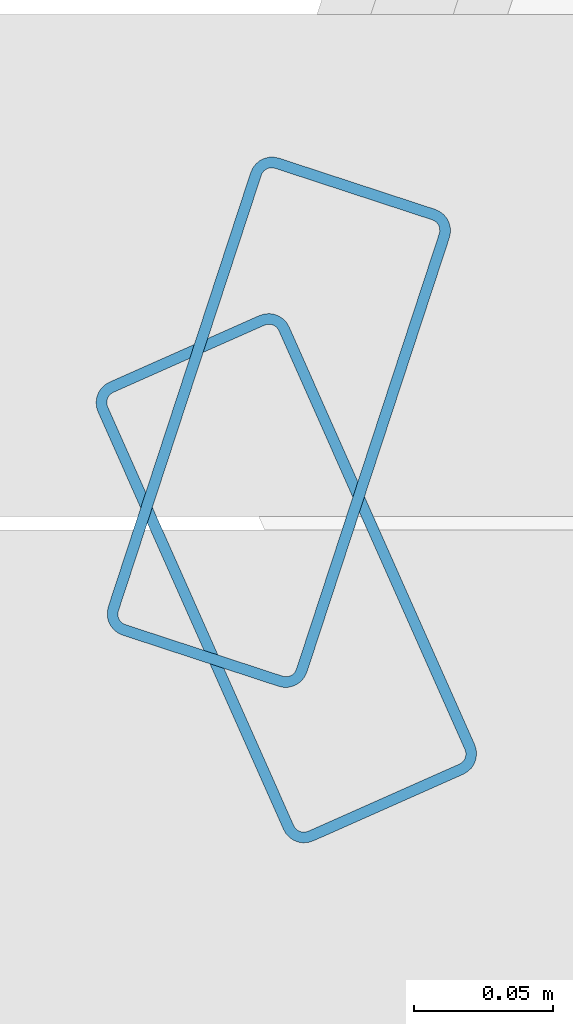
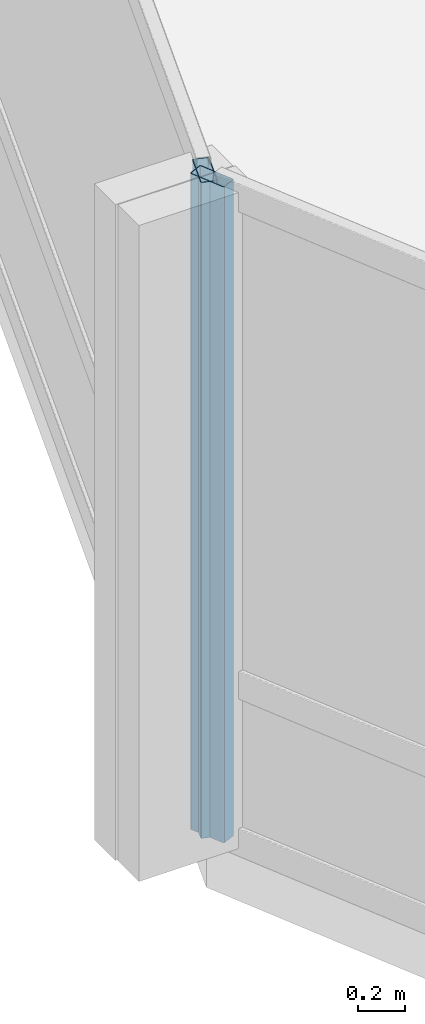
# One storey, part 6 of 29: 2 members, 2 elements without a shape of their own.
"""IFC4 building model written with IfcOpenShell, lengths in metres."""

from ifc_helpers import new_model, si_unit, direction, frame, origin, origin_2d, place, context, subcontext, project, spatial, hollow_rectangle, extrude, material, layer, layer_set, material_profile, profile_set, type_object, element, aggregate, save


model = new_model("IFC4")

# Units and contexts
model_context = context("Model", 3, precision=1e-05, world=origin(), true_north=direction((0.0, 1.0)))
body_context = subcontext(model_context, "Body", "Model", "MODEL_VIEW")
ifc_project = project(units=[si_unit("LENGTHUNIT", "METRE"), si_unit("AREAUNIT", "SQUARE_METRE"), si_unit("VOLUMEUNIT", "CUBIC_METRE"), si_unit("PLANEANGLEUNIT", "RADIAN"), si_unit("MASSUNIT", "GRAM", prefix="KILO")], contexts=[model_context])

# Site, building, storey
site_placement = place(None, origin())
site = spatial("IfcSite", under=ifc_project, at=site_placement, CompositionType="ELEMENT")
building_placement = place(site_placement, origin())
building = spatial("IfcBuilding", under=site, at=building_placement, Name="Solvaryn Broadcast Tower", CompositionType="ELEMENT")
storey_placement = place(building_placement, frame((0.0, 0.0, 143.300048828125)))
storey = spatial("IfcBuildingStorey", under=building, at=storey_placement, Name="L35", CompositionType="ELEMENT", Elevation=143.300048828125)

# Curtain wall, member
ifc_material_1 = material(Name="Aluminium and Terracotta Unitised Curtain Wall", Category="masonry")
ifc_layer = layer(ifc_material_1, 0.199951171875)
ifc_layer_set = layer_set([ifc_layer], Name="CW-SYS2-LOWMID")
curtain_wall_type = type_object("IfcCurtainWallType", Name="CW-SYS2-LOWMID", PredefinedType="NOTDEFINED", material=ifc_layer_set)
curtain_wall_1_placement = place(storey_placement, origin())
curtain_wall_1 = element("IfcCurtainWall", 1, at=curtain_wall_1_placement, inside=storey, type_object=curtain_wall_type, Name="L35 Curtain Wall DR1", PredefinedType="NOTDEFINED")
ifc_material_2 = material(Name="Anodised Aluminium 6063-T6", Category="aluminium")
ifc_material_profile = material_profile(ifc_material_2, hollow_rectangle(XDim=0.074951171875, YDim=0.179931640625, WallThickness=0.00390625, InnerFilletRadius=0.00390625, OuterFilletRadius=0.008056640625, at=origin_2d()))
ifc_profile_set = profile_set([ifc_material_profile], Name="Anodised Aluminium 6063-T6")
member_type = type_object("IfcMemberType", Name="CW-MUL-180", PredefinedType="MULLION", material=ifc_profile_set)
member_1_placement = place(storey_placement, frame((1.04345703125, 26.66455078125, 0.0), z_axis=(0.0, 0.0, 1.0), x_axis=(0.950198260794, -0.311646057547, 0.0)))
member_1 = element("IfcMember", 2, at=member_1_placement, type_object=member_type, Name="CWS2 mullion 2", PredefinedType="MULLION", context=body_context, shape_type="SweptSolid", body=[
    extrude(hollow_rectangle(XDim=0.074951171875, YDim=0.179931640625, WallThickness=0.00390625, InnerFilletRadius=0.00390625, OuterFilletRadius=0.008056640625, at=origin_2d()), origin(), (0.0, 0.0, 1.0), 3.419921875),
])
aggregate(curtain_wall_1, [member_1])

curtain_wall_2_placement = place(storey_placement, origin())
curtain_wall_2 = element("IfcCurtainWall", 3, at=curtain_wall_2_placement, inside=storey, type_object=curtain_wall_type, Name="L35 Curtain Wall DR2", PredefinedType="NOTDEFINED")
member_2_placement = place(storey_placement, frame((1.046142578125, 26.608642578125, 0.0), z_axis=(0.0, 0.0, 1.0), x_axis=(0.913909311008, 0.405918429309, 0.0)))
member_2 = element("IfcMember", 4, at=member_2_placement, type_object=member_type, Name="CWS2 mullion 1", PredefinedType="MULLION", context=body_context, shape_type="SweptSolid", body=[
    extrude(hollow_rectangle(XDim=0.074951171875, YDim=0.179931640625, WallThickness=0.00390625, InnerFilletRadius=0.00390625, OuterFilletRadius=0.008056640625, at=origin_2d()), origin(), (0.0, 0.0, 1.0), 3.419921875),
])
aggregate(curtain_wall_2, [member_2])

save(model, "model.ifc")
